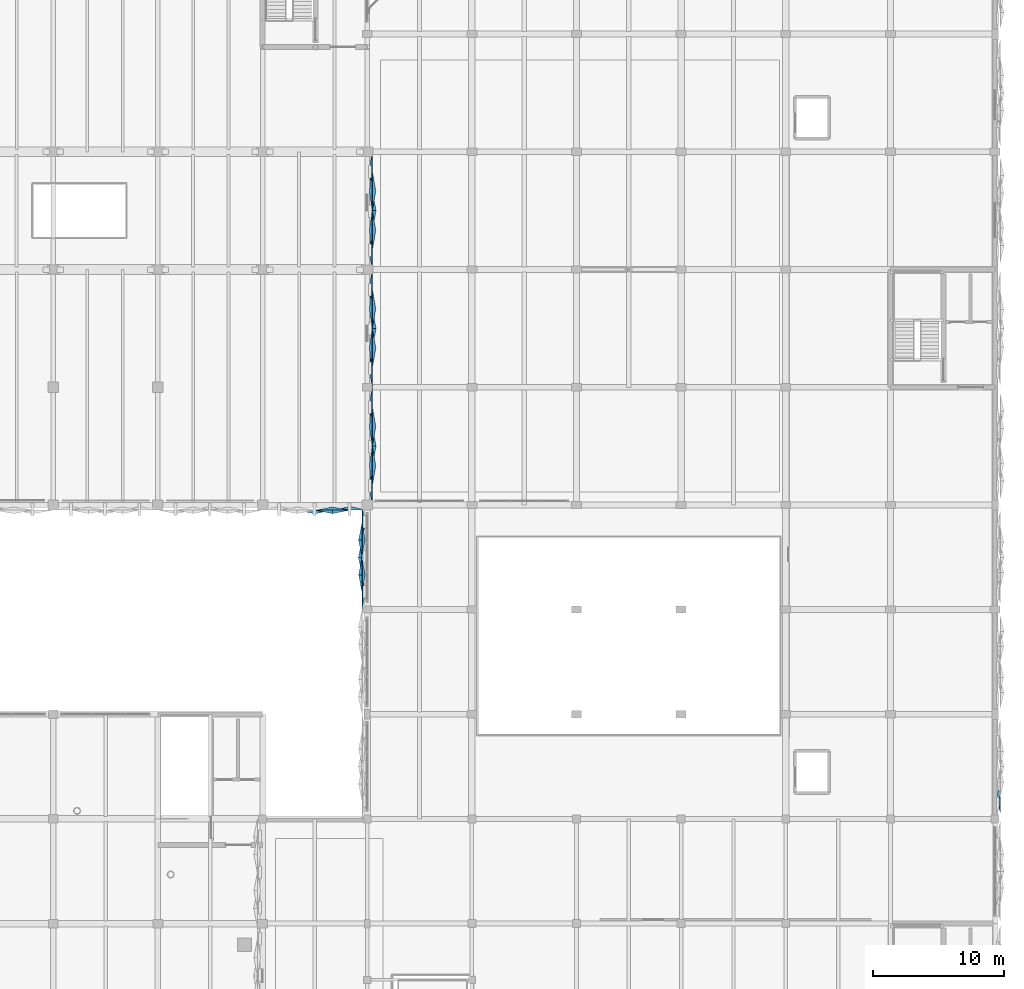
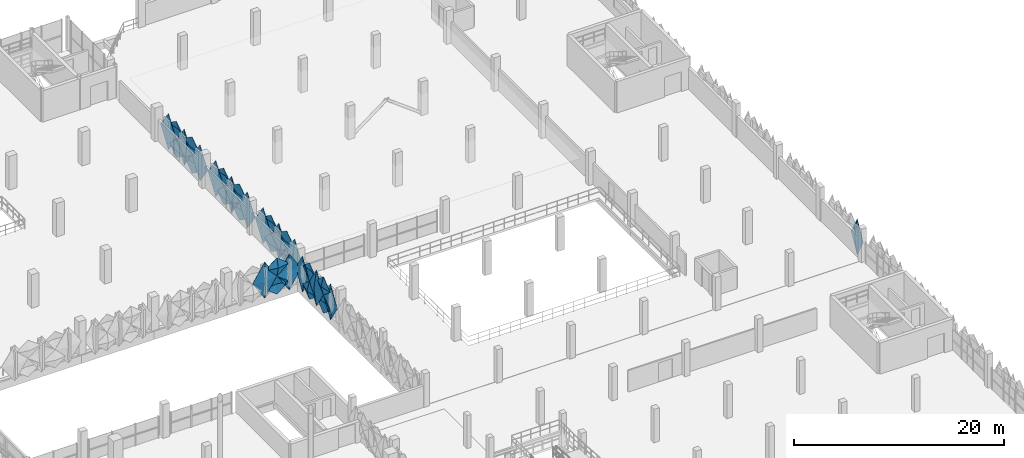
# One storey, part 99 of 123: 33 plates.
"""IFC4 building model written with IfcOpenShell, lengths in metres."""

from ifc_helpers import new_model, si_unit, derived_unit, direction, frame, origin, place, context, subcontext, project, spatial, polygons, material, layer, layer_set, type_object, element, save


model = new_model("IFC4")

# Units and contexts
model_context = context("Model", 3, precision=1e-05, world=origin(), true_north=direction((0.0, 1.0)))
body_context = subcontext(model_context, "Body", "Model", "MODEL_VIEW")
ifc_project = project(units=[si_unit("LENGTHUNIT", "METRE"), si_unit("AREAUNIT", "SQUARE_METRE"), si_unit("VOLUMEUNIT", "CUBIC_METRE"), si_unit("PLANEANGLEUNIT", "RADIAN"), si_unit("MASSUNIT", "GRAM", prefix="KILO"), si_unit("THERMODYNAMICTEMPERATUREUNIT", "KELVIN"), derived_unit("THERMALTRANSMITTANCEUNIT", [(si_unit("POWERUNIT", "WATT"), 1), (si_unit("AREAUNIT", "SQUARE_METRE"), -1), (si_unit("THERMODYNAMICTEMPERATUREUNIT", "KELVIN"), -1)])], contexts=[model_context])

# Site, building, storey
site_placement = place(None, origin())
site = spatial("IfcSite", under=ifc_project, at=site_placement, CompositionType="ELEMENT")
building_placement = place(site_placement, origin())
building = spatial("IfcBuilding", under=site, at=building_placement, Name="Haiyu Intermodal Mobility Hub", CompositionType="ELEMENT")
storey_placement = place(building_placement, frame((0.0, 0.0, 5.60009765625)))
storey = spatial("IfcBuildingStorey", under=building, at=storey_placement, Name="L01", CompositionType="ELEMENT", Elevation=5.60009765625)

# Plates
ifc_material = material(Name="Anodised aluminium 6063-T6", Category="aluminium")
ifc_layer_1 = layer(ifc_material, 0.01806640625)
ifc_layer_set_1 = layer_set([ifc_layer_1], Name="Anodised aluminium 6063-T6")
plate_type_1 = type_object("IfcPlateType", Name="PLT-FC03", PredefinedType="USERDEFINED", material=ifc_layer_set_1)
plate_1_placement = place(storey_placement, origin())
element("IfcPlate", 1, at=plate_1_placement, inside=storey, type_object=plate_type_1, Name="PLT-PYR-2100", ObjectType="FACADE CASSETTE", PredefinedType="USERDEFINED", context=body_context, shape_type="Tessellation", body=[
    polygons([(161.60009765625, 101.3330078125, -0.52001953125), (161.60009765625, 100.02001953125, 0.52978515625), (161.60009765625, 101.3330078125, 1.579833984375), (161.60009765625, 102.64697265625, 0.52978515625), (161.340087890625, 101.3330078125, 0.52978515625), (161.6220703125, 101.3330078125, -0.52001953125), (161.6220703125, 100.02001953125, 0.52978515625), (161.6220703125, 101.3330078125, 1.579833984375), (161.6220703125, 102.64697265625, 0.52978515625), (161.362060546875, 101.3330078125, 0.52978515625)], [[[1, 2, 5]], [[2, 3, 5]], [[3, 4, 5]], [[4, 1, 5]], [[7, 6, 10]], [[8, 7, 10]], [[9, 8, 10]], [[6, 9, 10]], [[1, 6, 7, 2]], [[2, 7, 8, 3]], [[3, 8, 9, 4]], [[4, 9, 6, 1]]], closed=True),
])
plate_2_placement = place(storey_placement, origin())
element("IfcPlate", 2, at=plate_2_placement, inside=storey, type_object=plate_type_1, Name="PLT-PYR-2170", ObjectType="FACADE CASSETTE", PredefinedType="USERDEFINED", context=body_context, shape_type="Tessellation", body=[
    polygons([(162.39990234375, 107.0, -0.52001953125), (162.39990234375, 108.47998046875, 0.52978515625), (162.39990234375, 107.0, 1.579833984375), (162.39990234375, 105.52001953125, 0.52978515625), (162.659912109375, 107.0, 0.52978515625), (162.3779296875, 107.0, -0.52001953125), (162.3779296875, 108.47998046875, 0.52978515625), (162.3779296875, 107.0, 1.579833984375), (162.3779296875, 105.52001953125, 0.52978515625), (162.637939453125, 107.0, 0.52978515625)], [[[1, 2, 5]], [[2, 3, 5]], [[3, 4, 5]], [[4, 1, 5]], [[7, 6, 10]], [[8, 7, 10]], [[9, 8, 10]], [[6, 9, 10]], [[1, 6, 7, 2]], [[2, 7, 8, 3]], [[3, 8, 9, 4]], [[4, 9, 6, 1]]], closed=True),
])
plate_3_placement = place(storey_placement, origin())
element("IfcPlate", 3, at=plate_3_placement, inside=storey, type_object=plate_type_1, Name="PLT-PYR-2177", ObjectType="FACADE CASSETTE", PredefinedType="USERDEFINED", context=body_context, shape_type="Tessellation", body=[
    polygons([(162.39990234375, 116.0, -0.52001953125), (162.39990234375, 117.47998046875, 0.52978515625), (162.39990234375, 116.0, 1.579833984375), (162.39990234375, 114.52001953125, 0.52978515625), (162.659912109375, 116.0, 0.52978515625), (162.3779296875, 116.0, -0.52001953125), (162.3779296875, 117.47998046875, 0.52978515625), (162.3779296875, 116.0, 1.579833984375), (162.3779296875, 114.52001953125, 0.52978515625), (162.637939453125, 116.0, 0.52978515625)], [[[1, 2, 5]], [[2, 3, 5]], [[3, 4, 5]], [[4, 1, 5]], [[7, 6, 10]], [[8, 7, 10]], [[9, 8, 10]], [[6, 9, 10]], [[1, 6, 7, 2]], [[2, 7, 8, 3]], [[3, 8, 9, 4]], [[4, 9, 6, 1]]], closed=True),
])
plate_4_placement = place(storey_placement, origin())
element("IfcPlate", 4, at=plate_4_placement, inside=storey, type_object=plate_type_1, Name="PLT-PYR-2184", ObjectType="FACADE CASSETTE", PredefinedType="USERDEFINED", context=body_context, shape_type="Tessellation", body=[
    polygons([(162.39990234375, 125.0, -0.52001953125), (162.39990234375, 126.47998046875, 0.52978515625), (162.39990234375, 125.0, 1.579833984375), (162.39990234375, 123.52001953125, 0.52978515625), (162.659912109375, 125.0, 0.52978515625), (162.3779296875, 125.0, -0.52001953125), (162.3779296875, 126.47998046875, 0.52978515625), (162.3779296875, 125.0, 1.579833984375), (162.3779296875, 123.52001953125, 0.52978515625), (162.637939453125, 125.0, 0.52978515625)], [[[1, 2, 5]], [[2, 3, 5]], [[3, 4, 5]], [[4, 1, 5]], [[7, 6, 10]], [[8, 7, 10]], [[9, 8, 10]], [[6, 9, 10]], [[1, 6, 7, 2]], [[2, 7, 8, 3]], [[3, 8, 9, 4]], [[4, 9, 6, 1]]], closed=True),
])
ifc_layer_2 = layer(ifc_material, 0.02001953125)
ifc_layer_set_2 = layer_set([ifc_layer_2], Name="Anodised aluminium 6063-T6")
plate_type_2 = type_object("IfcPlateType", Name="PLT-FC04", PredefinedType="USERDEFINED", material=ifc_layer_set_2)
plate_5_placement = place(storey_placement, origin())
element("IfcPlate", 5, at=plate_5_placement, inside=storey, type_object=plate_type_2, Name="PLT-PYR-1022", ObjectType="FACADE CASSETTE", PredefinedType="USERDEFINED", context=body_context, shape_type="Tessellation", body=[
    polygons([(210.39990234375, 81.653076171875, -0.510009765625), (210.39990234375, 82.806884765625, 1.599853515625), (210.39990234375, 81.653076171875, 3.7099609375), (210.39990234375, 80.5, 1.599853515625), (210.139892578125, 81.653076171875, 1.599853515625), (210.3779296875, 81.653076171875, -0.510009765625), (210.3779296875, 82.806884765625, 1.599853515625), (210.3779296875, 81.653076171875, 3.7099609375), (210.3779296875, 80.5, 1.599853515625), (210.117919921875, 81.653076171875, 1.599853515625)], [[[1, 2, 5]], [[2, 3, 5]], [[3, 4, 5]], [[4, 1, 5]], [[7, 6, 10]], [[8, 7, 10]], [[9, 8, 10]], [[6, 9, 10]], [[1, 6, 7, 2]], [[2, 7, 8, 3]], [[3, 8, 9, 4]], [[4, 9, 6, 1]]], closed=True),
])
plate_6_placement = place(storey_placement, origin())
element("IfcPlate", 6, at=plate_6_placement, inside=storey, type_object=plate_type_2, Name="PLT-PYR-2099", ObjectType="FACADE CASSETTE", PredefinedType="USERDEFINED", context=body_context, shape_type="Tessellation", body=[
    polygons([(161.60009765625, 102.6669921875, -0.510009765625), (161.60009765625, 101.35302734375, 1.599853515625), (161.60009765625, 102.6669921875, 3.7099609375), (161.60009765625, 103.97998046875, 1.599853515625), (161.860107421875, 102.6669921875, 1.599853515625), (161.6220703125, 102.6669921875, -0.510009765625), (161.6220703125, 101.35302734375, 1.599853515625), (161.6220703125, 102.6669921875, 3.7099609375), (161.6220703125, 103.97998046875, 1.599853515625), (161.882080078125, 102.6669921875, 1.599853515625)], [[[1, 2, 5]], [[2, 3, 5]], [[3, 4, 5]], [[4, 1, 5]], [[7, 6, 10]], [[8, 7, 10]], [[9, 8, 10]], [[6, 9, 10]], [[1, 6, 7, 2]], [[2, 7, 8, 3]], [[3, 8, 9, 4]], [[4, 9, 6, 1]]], closed=True),
])
plate_7_placement = place(storey_placement, origin())
element("IfcPlate", 7, at=plate_7_placement, inside=storey, type_object=plate_type_2, Name="PLT-PYR-2103", ObjectType="FACADE CASSETTE", PredefinedType="USERDEFINED", context=body_context, shape_type="Tessellation", body=[
    polygons([(161.60009765625, 98.6669921875, -0.52001953125), (161.60009765625, 97.35302734375, 0.52978515625), (161.60009765625, 98.6669921875, 1.579833984375), (161.60009765625, 99.97998046875, 0.52978515625), (161.820068359375, 98.6669921875, 0.52978515625), (161.6220703125, 98.6669921875, -0.52001953125), (161.6220703125, 97.35302734375, 0.52978515625), (161.6220703125, 98.6669921875, 1.579833984375), (161.6220703125, 99.97998046875, 0.52978515625), (161.842041015625, 98.6669921875, 0.52978515625)], [[[1, 2, 5]], [[2, 3, 5]], [[3, 4, 5]], [[4, 1, 5]], [[7, 6, 10]], [[8, 7, 10]], [[9, 8, 10]], [[6, 9, 10]], [[1, 6, 7, 2]], [[2, 7, 8, 3]], [[3, 8, 9, 4]], [[4, 9, 6, 1]]], closed=True),
])
plate_8_placement = place(storey_placement, origin())
element("IfcPlate", 8, at=plate_8_placement, inside=storey, type_object=plate_type_2, Name="PLT-PYR-2169", ObjectType="FACADE CASSETTE", PredefinedType="USERDEFINED", context=body_context, shape_type="Tessellation", body=[
    polygons([(162.39990234375, 105.5, -0.510009765625), (162.39990234375, 106.97998046875, 1.599853515625), (162.39990234375, 105.5, 3.7099609375), (162.39990234375, 104.02001953125, 1.599853515625), (162.139892578125, 105.5, 1.599853515625), (162.3779296875, 105.5, -0.510009765625), (162.3779296875, 106.97998046875, 1.599853515625), (162.3779296875, 105.5, 3.7099609375), (162.3779296875, 104.02001953125, 1.599853515625), (162.117919921875, 105.5, 1.599853515625)], [[[1, 2, 5]], [[2, 3, 5]], [[3, 4, 5]], [[4, 1, 5]], [[7, 6, 10]], [[8, 7, 10]], [[9, 8, 10]], [[6, 9, 10]], [[1, 6, 7, 2]], [[2, 7, 8, 3]], [[3, 8, 9, 4]], [[4, 9, 6, 1]]], closed=True),
])
plate_9_placement = place(storey_placement, origin())
element("IfcPlate", 9, at=plate_9_placement, inside=storey, type_object=plate_type_2, Name="PLT-PYR-2173", ObjectType="FACADE CASSETTE", PredefinedType="USERDEFINED", context=body_context, shape_type="Tessellation", body=[
    polygons([(162.39990234375, 110.0, -0.52001953125), (162.39990234375, 111.47998046875, 0.52978515625), (162.39990234375, 110.0, 1.579833984375), (162.39990234375, 108.52001953125, 0.52978515625), (162.179931640625, 110.0, 0.52978515625), (162.3779296875, 110.0, -0.52001953125), (162.3779296875, 111.47998046875, 0.52978515625), (162.3779296875, 110.0, 1.579833984375), (162.3779296875, 108.52001953125, 0.52978515625), (162.157958984375, 110.0, 0.52978515625)], [[[1, 2, 5]], [[2, 3, 5]], [[3, 4, 5]], [[4, 1, 5]], [[7, 6, 10]], [[8, 7, 10]], [[9, 8, 10]], [[6, 9, 10]], [[1, 6, 7, 2]], [[2, 7, 8, 3]], [[3, 8, 9, 4]], [[4, 9, 6, 1]]], closed=True),
])
plate_10_placement = place(storey_placement, origin())
element("IfcPlate", 10, at=plate_10_placement, inside=storey, type_object=plate_type_2, Name="PLT-PYR-2176", ObjectType="FACADE CASSETTE", PredefinedType="USERDEFINED", context=body_context, shape_type="Tessellation", body=[
    polygons([(162.39990234375, 114.5, -0.510009765625), (162.39990234375, 115.97998046875, 1.599853515625), (162.39990234375, 114.5, 3.7099609375), (162.39990234375, 113.02001953125, 1.599853515625), (162.139892578125, 114.5, 1.599853515625), (162.3779296875, 114.5, -0.510009765625), (162.3779296875, 115.97998046875, 1.599853515625), (162.3779296875, 114.5, 3.7099609375), (162.3779296875, 113.02001953125, 1.599853515625), (162.117919921875, 114.5, 1.599853515625)], [[[1, 2, 5]], [[2, 3, 5]], [[3, 4, 5]], [[4, 1, 5]], [[7, 6, 10]], [[8, 7, 10]], [[9, 8, 10]], [[6, 9, 10]], [[1, 6, 7, 2]], [[2, 7, 8, 3]], [[3, 8, 9, 4]], [[4, 9, 6, 1]]], closed=True),
])
plate_11_placement = place(storey_placement, origin())
element("IfcPlate", 11, at=plate_11_placement, inside=storey, type_object=plate_type_2, Name="PLT-PYR-2180", ObjectType="FACADE CASSETTE", PredefinedType="USERDEFINED", context=body_context, shape_type="Tessellation", body=[
    polygons([(162.39990234375, 119.0, -0.52001953125), (162.39990234375, 120.47998046875, 0.52978515625), (162.39990234375, 119.0, 1.579833984375), (162.39990234375, 117.52001953125, 0.52978515625), (162.179931640625, 119.0, 0.52978515625), (162.3779296875, 119.0, -0.52001953125), (162.3779296875, 120.47998046875, 0.52978515625), (162.3779296875, 119.0, 1.579833984375), (162.3779296875, 117.52001953125, 0.52978515625), (162.157958984375, 119.0, 0.52978515625)], [[[1, 2, 5]], [[2, 3, 5]], [[3, 4, 5]], [[4, 1, 5]], [[7, 6, 10]], [[8, 7, 10]], [[9, 8, 10]], [[6, 9, 10]], [[1, 6, 7, 2]], [[2, 7, 8, 3]], [[3, 8, 9, 4]], [[4, 9, 6, 1]]], closed=True),
])
plate_12_placement = place(storey_placement, origin())
element("IfcPlate", 12, at=plate_12_placement, inside=storey, type_object=plate_type_2, Name="PLT-PYR-2183", ObjectType="FACADE CASSETTE", PredefinedType="USERDEFINED", context=body_context, shape_type="Tessellation", body=[
    polygons([(162.39990234375, 123.5, -0.510009765625), (162.39990234375, 124.97998046875, 1.599853515625), (162.39990234375, 123.5, 3.7099609375), (162.39990234375, 122.02001953125, 1.599853515625), (162.139892578125, 123.5, 1.599853515625), (162.3779296875, 123.5, -0.510009765625), (162.3779296875, 124.97998046875, 1.599853515625), (162.3779296875, 123.5, 3.7099609375), (162.3779296875, 122.02001953125, 1.599853515625), (162.117919921875, 123.5, 1.599853515625)], [[[1, 2, 5]], [[2, 3, 5]], [[3, 4, 5]], [[4, 1, 5]], [[7, 6, 10]], [[8, 7, 10]], [[9, 8, 10]], [[6, 9, 10]], [[1, 6, 7, 2]], [[2, 7, 8, 3]], [[3, 8, 9, 4]], [[4, 9, 6, 1]]], closed=True),
])
plate_13_placement = place(storey_placement, origin())
element("IfcPlate", 13, at=plate_13_placement, inside=storey, type_object=plate_type_2, Name="PLT-PYR-2187", ObjectType="FACADE CASSETTE", PredefinedType="USERDEFINED", context=body_context, shape_type="Tessellation", body=[
    polygons([(162.39990234375, 128.0, -0.52001953125), (162.39990234375, 129.47998046875, 0.52978515625), (162.39990234375, 128.0, 1.579833984375), (162.39990234375, 126.52001953125, 0.52978515625), (162.179931640625, 128.0, 0.52978515625), (162.3779296875, 128.0, -0.52001953125), (162.3779296875, 129.47998046875, 0.52978515625), (162.3779296875, 128.0, 1.579833984375), (162.3779296875, 126.52001953125, 0.52978515625), (162.157958984375, 128.0, 0.52978515625)], [[[1, 2, 5]], [[2, 3, 5]], [[3, 4, 5]], [[4, 1, 5]], [[7, 6, 10]], [[8, 7, 10]], [[9, 8, 10]], [[6, 9, 10]], [[1, 6, 7, 2]], [[2, 7, 8, 3]], [[3, 8, 9, 4]], [[4, 9, 6, 1]]], closed=True),
])
plate_14_placement = place(storey_placement, origin())
element("IfcPlate", 14, at=plate_14_placement, inside=storey, type_object=plate_type_2, Name="PLT-PYR-2285", ObjectType="FACADE CASSETTE", PredefinedType="USERDEFINED", context=body_context, shape_type="Tessellation", body=[
    polygons([(159.35009765625, 103.60009765625, -0.52001953125), (160.679931640625, 103.60009765625, 0.52978515625), (159.35009765625, 103.60009765625, 1.579833984375), (158.02001953125, 103.60009765625, 0.52978515625), (159.35009765625, 103.820068359375, 0.52978515625), (159.35009765625, 103.6220703125, -0.52001953125), (160.679931640625, 103.6220703125, 0.52978515625), (159.35009765625, 103.6220703125, 1.579833984375), (158.02001953125, 103.6220703125, 0.52978515625), (159.35009765625, 103.842041015625, 0.52978515625)], [[[1, 2, 5]], [[2, 3, 5]], [[3, 4, 5]], [[4, 1, 5]], [[7, 6, 10]], [[8, 7, 10]], [[9, 8, 10]], [[6, 9, 10]], [[1, 6, 7, 2]], [[2, 7, 8, 3]], [[3, 8, 9, 4]], [[4, 9, 6, 1]]], closed=True),
])
ifc_layer_3 = layer(ifc_material, 0.01806640625)
ifc_layer_set_3 = layer_set([ifc_layer_3], Name="Anodised aluminium 6063-T6")
plate_type_3 = type_object("IfcPlateType", Name="PLT-FC05", PredefinedType="USERDEFINED", material=ifc_layer_set_3)
plate_15_placement = place(storey_placement, origin())
element("IfcPlate", 15, at=plate_15_placement, inside=storey, type_object=plate_type_3, Name="PLT-PYR-2102", ObjectType="FACADE CASSETTE", PredefinedType="USERDEFINED", context=body_context, shape_type="Tessellation", body=[
    polygons([(161.60009765625, 100.0, -0.510009765625), (161.60009765625, 98.68701171875, 1.599853515625), (161.60009765625, 100.0, 3.7099609375), (161.60009765625, 101.31298828125, 1.599853515625), (161.320068359375, 100.0, 1.599853515625), (161.6220703125, 100.0, -0.510009765625), (161.6220703125, 98.68701171875, 1.599853515625), (161.6220703125, 100.0, 3.7099609375), (161.6220703125, 101.31298828125, 1.599853515625), (161.342041015625, 100.0, 1.599853515625)], [[[1, 2, 5]], [[2, 3, 5]], [[3, 4, 5]], [[4, 1, 5]], [[7, 6, 10]], [[8, 7, 10]], [[9, 8, 10]], [[6, 9, 10]], [[1, 6, 7, 2]], [[2, 7, 8, 3]], [[3, 8, 9, 4]], [[4, 9, 6, 1]]], closed=True),
])
plate_16_placement = place(storey_placement, origin())
element("IfcPlate", 16, at=plate_16_placement, inside=storey, type_object=plate_type_3, Name="PLT-PYR-2104", ObjectType="FACADE CASSETTE", PredefinedType="USERDEFINED", context=body_context, shape_type="Tessellation", body=[
    polygons([(161.60009765625, 98.6669921875, 1.619873046875), (161.60009765625, 97.35302734375, 2.669921875), (161.60009765625, 98.6669921875, 3.719970703125), (161.60009765625, 99.97998046875, 2.669921875), (161.340087890625, 98.6669921875, 2.669921875), (161.6220703125, 98.6669921875, 1.619873046875), (161.6220703125, 97.35302734375, 2.669921875), (161.6220703125, 98.6669921875, 3.719970703125), (161.6220703125, 99.97998046875, 2.669921875), (161.362060546875, 98.6669921875, 2.669921875)], [[[1, 2, 5]], [[2, 3, 5]], [[3, 4, 5]], [[4, 1, 5]], [[7, 6, 10]], [[8, 7, 10]], [[9, 8, 10]], [[6, 9, 10]], [[1, 6, 7, 2]], [[2, 7, 8, 3]], [[3, 8, 9, 4]], [[4, 9, 6, 1]]], closed=True),
])
plate_17_placement = place(storey_placement, origin())
element("IfcPlate", 17, at=plate_17_placement, inside=storey, type_object=plate_type_3, Name="PLT-PYR-2172", ObjectType="FACADE CASSETTE", PredefinedType="USERDEFINED", context=body_context, shape_type="Tessellation", body=[
    polygons([(162.39990234375, 108.5, -0.510009765625), (162.39990234375, 109.97998046875, 1.599853515625), (162.39990234375, 108.5, 3.7099609375), (162.39990234375, 107.02001953125, 1.599853515625), (162.679931640625, 108.5, 1.599853515625), (162.3779296875, 108.5, -0.510009765625), (162.3779296875, 109.97998046875, 1.599853515625), (162.3779296875, 108.5, 3.7099609375), (162.3779296875, 107.02001953125, 1.599853515625), (162.657958984375, 108.5, 1.599853515625)], [[[1, 2, 5]], [[2, 3, 5]], [[3, 4, 5]], [[4, 1, 5]], [[7, 6, 10]], [[8, 7, 10]], [[9, 8, 10]], [[6, 9, 10]], [[1, 6, 7, 2]], [[2, 7, 8, 3]], [[3, 8, 9, 4]], [[4, 9, 6, 1]]], closed=True),
])
plate_18_placement = place(storey_placement, origin())
element("IfcPlate", 18, at=plate_18_placement, inside=storey, type_object=plate_type_3, Name="PLT-PYR-2174", ObjectType="FACADE CASSETTE", PredefinedType="USERDEFINED", context=body_context, shape_type="Tessellation", body=[
    polygons([(162.39990234375, 110.0, 1.619873046875), (162.39990234375, 111.47998046875, 2.669921875), (162.39990234375, 110.0, 3.719970703125), (162.39990234375, 108.52001953125, 2.669921875), (162.659912109375, 110.0, 2.669921875), (162.3779296875, 110.0, 1.619873046875), (162.3779296875, 111.47998046875, 2.669921875), (162.3779296875, 110.0, 3.719970703125), (162.3779296875, 108.52001953125, 2.669921875), (162.637939453125, 110.0, 2.669921875)], [[[1, 2, 5]], [[2, 3, 5]], [[3, 4, 5]], [[4, 1, 5]], [[7, 6, 10]], [[8, 7, 10]], [[9, 8, 10]], [[6, 9, 10]], [[1, 6, 7, 2]], [[2, 7, 8, 3]], [[3, 8, 9, 4]], [[4, 9, 6, 1]]], closed=True),
])
plate_19_placement = place(storey_placement, origin())
element("IfcPlate", 19, at=plate_19_placement, inside=storey, type_object=plate_type_3, Name="PLT-PYR-2179", ObjectType="FACADE CASSETTE", PredefinedType="USERDEFINED", context=body_context, shape_type="Tessellation", body=[
    polygons([(162.39990234375, 117.5, -0.510009765625), (162.39990234375, 118.97998046875, 1.599853515625), (162.39990234375, 117.5, 3.7099609375), (162.39990234375, 116.02001953125, 1.599853515625), (162.679931640625, 117.5, 1.599853515625), (162.3779296875, 117.5, -0.510009765625), (162.3779296875, 118.97998046875, 1.599853515625), (162.3779296875, 117.5, 3.7099609375), (162.3779296875, 116.02001953125, 1.599853515625), (162.657958984375, 117.5, 1.599853515625)], [[[1, 2, 5]], [[2, 3, 5]], [[3, 4, 5]], [[4, 1, 5]], [[7, 6, 10]], [[8, 7, 10]], [[9, 8, 10]], [[6, 9, 10]], [[1, 6, 7, 2]], [[2, 7, 8, 3]], [[3, 8, 9, 4]], [[4, 9, 6, 1]]], closed=True),
])
plate_20_placement = place(storey_placement, origin())
element("IfcPlate", 20, at=plate_20_placement, inside=storey, type_object=plate_type_3, Name="PLT-PYR-2181", ObjectType="FACADE CASSETTE", PredefinedType="USERDEFINED", context=body_context, shape_type="Tessellation", body=[
    polygons([(162.39990234375, 119.0, 1.619873046875), (162.39990234375, 120.47998046875, 2.669921875), (162.39990234375, 119.0, 3.719970703125), (162.39990234375, 117.52001953125, 2.669921875), (162.659912109375, 119.0, 2.669921875), (162.3779296875, 119.0, 1.619873046875), (162.3779296875, 120.47998046875, 2.669921875), (162.3779296875, 119.0, 3.719970703125), (162.3779296875, 117.52001953125, 2.669921875), (162.637939453125, 119.0, 2.669921875)], [[[1, 2, 5]], [[2, 3, 5]], [[3, 4, 5]], [[4, 1, 5]], [[7, 6, 10]], [[8, 7, 10]], [[9, 8, 10]], [[6, 9, 10]], [[1, 6, 7, 2]], [[2, 7, 8, 3]], [[3, 8, 9, 4]], [[4, 9, 6, 1]]], closed=True),
])
plate_21_placement = place(storey_placement, origin())
element("IfcPlate", 21, at=plate_21_placement, inside=storey, type_object=plate_type_3, Name="PLT-PYR-2186", ObjectType="FACADE CASSETTE", PredefinedType="USERDEFINED", context=body_context, shape_type="Tessellation", body=[
    polygons([(162.39990234375, 126.5, -0.510009765625), (162.39990234375, 127.97998046875, 1.599853515625), (162.39990234375, 126.5, 3.7099609375), (162.39990234375, 125.02001953125, 1.599853515625), (162.679931640625, 126.5, 1.599853515625), (162.3779296875, 126.5, -0.510009765625), (162.3779296875, 127.97998046875, 1.599853515625), (162.3779296875, 126.5, 3.7099609375), (162.3779296875, 125.02001953125, 1.599853515625), (162.657958984375, 126.5, 1.599853515625)], [[[1, 2, 5]], [[2, 3, 5]], [[3, 4, 5]], [[4, 1, 5]], [[7, 6, 10]], [[8, 7, 10]], [[9, 8, 10]], [[6, 9, 10]], [[1, 6, 7, 2]], [[2, 7, 8, 3]], [[3, 8, 9, 4]], [[4, 9, 6, 1]]], closed=True),
])
plate_22_placement = place(storey_placement, origin())
element("IfcPlate", 22, at=plate_22_placement, inside=storey, type_object=plate_type_3, Name="PLT-PYR-2188", ObjectType="FACADE CASSETTE", PredefinedType="USERDEFINED", context=body_context, shape_type="Tessellation", body=[
    polygons([(162.39990234375, 128.0, 1.619873046875), (162.39990234375, 129.47998046875, 2.669921875), (162.39990234375, 128.0, 3.719970703125), (162.39990234375, 126.52001953125, 2.669921875), (162.659912109375, 128.0, 2.669921875), (162.3779296875, 128.0, 1.619873046875), (162.3779296875, 129.47998046875, 2.669921875), (162.3779296875, 128.0, 3.719970703125), (162.3779296875, 126.52001953125, 2.669921875), (162.637939453125, 128.0, 2.669921875)], [[[1, 2, 5]], [[2, 3, 5]], [[3, 4, 5]], [[4, 1, 5]], [[7, 6, 10]], [[8, 7, 10]], [[9, 8, 10]], [[6, 9, 10]], [[1, 6, 7, 2]], [[2, 7, 8, 3]], [[3, 8, 9, 4]], [[4, 9, 6, 1]]], closed=True),
])
plate_23_placement = place(storey_placement, origin())
element("IfcPlate", 23, at=plate_23_placement, inside=storey, type_object=plate_type_3, Name="PLT-PYR-2284", ObjectType="FACADE CASSETTE", PredefinedType="USERDEFINED", context=body_context, shape_type="Tessellation", body=[
    polygons([(158.0, 103.60009765625, -0.510009765625), (159.330078125, 103.60009765625, 1.599853515625), (158.0, 103.60009765625, 3.7099609375), (156.669921875, 103.60009765625, 1.599853515625), (158.0, 103.320068359375, 1.599853515625), (158.0, 103.6220703125, -0.510009765625), (159.330078125, 103.6220703125, 1.599853515625), (158.0, 103.6220703125, 3.7099609375), (156.669921875, 103.6220703125, 1.599853515625), (158.0, 103.342041015625, 1.599853515625)], [[[1, 2, 5]], [[2, 3, 5]], [[3, 4, 5]], [[4, 1, 5]], [[7, 6, 10]], [[8, 7, 10]], [[9, 8, 10]], [[6, 9, 10]], [[1, 6, 7, 2]], [[2, 7, 8, 3]], [[3, 8, 9, 4]], [[4, 9, 6, 1]]], closed=True),
])
plate_24_placement = place(storey_placement, origin())
element("IfcPlate", 24, at=plate_24_placement, inside=storey, type_object=plate_type_3, Name="PLT-PYR-2286", ObjectType="FACADE CASSETTE", PredefinedType="USERDEFINED", context=body_context, shape_type="Tessellation", body=[
    polygons([(159.35009765625, 103.60009765625, 1.619873046875), (160.679931640625, 103.60009765625, 2.669921875), (159.35009765625, 103.60009765625, 3.719970703125), (158.02001953125, 103.60009765625, 2.669921875), (159.35009765625, 103.340087890625, 2.669921875), (159.35009765625, 103.6220703125, 1.619873046875), (160.679931640625, 103.6220703125, 2.669921875), (159.35009765625, 103.6220703125, 3.719970703125), (158.02001953125, 103.6220703125, 2.669921875), (159.35009765625, 103.362060546875, 2.669921875)], [[[1, 2, 5]], [[2, 3, 5]], [[3, 4, 5]], [[4, 1, 5]], [[7, 6, 10]], [[8, 7, 10]], [[9, 8, 10]], [[6, 9, 10]], [[1, 6, 7, 2]], [[2, 7, 8, 3]], [[3, 8, 9, 4]], [[4, 9, 6, 1]]], closed=True),
])
ifc_layer_4 = layer(ifc_material, 0.02001953125)
ifc_layer_set_4 = layer_set([ifc_layer_4], Name="Anodised aluminium 6063-T6")
plate_type_4 = type_object("IfcPlateType", Name="PLT-FC06", PredefinedType="USERDEFINED", material=ifc_layer_set_4)
plate_25_placement = place(storey_placement, origin())
element("IfcPlate", 25, at=plate_25_placement, inside=storey, type_object=plate_type_4, Name="PLT-PYR-2101", ObjectType="FACADE CASSETTE", PredefinedType="USERDEFINED", context=body_context, shape_type="Tessellation", body=[
    polygons([(161.60009765625, 101.3330078125, 1.619873046875), (161.60009765625, 100.02001953125, 2.669921875), (161.60009765625, 101.3330078125, 3.719970703125), (161.60009765625, 102.64697265625, 2.669921875), (161.820068359375, 101.3330078125, 2.669921875), (161.6220703125, 101.3330078125, 1.619873046875), (161.6220703125, 100.02001953125, 2.669921875), (161.6220703125, 101.3330078125, 3.719970703125), (161.6220703125, 102.64697265625, 2.669921875), (161.842041015625, 101.3330078125, 2.669921875)], [[[1, 2, 5]], [[2, 3, 5]], [[3, 4, 5]], [[4, 1, 5]], [[7, 6, 10]], [[8, 7, 10]], [[9, 8, 10]], [[6, 9, 10]], [[1, 6, 7, 2]], [[2, 7, 8, 3]], [[3, 8, 9, 4]], [[4, 9, 6, 1]]], closed=True),
])
plate_26_placement = place(storey_placement, origin())
element("IfcPlate", 26, at=plate_26_placement, inside=storey, type_object=plate_type_4, Name="PLT-PYR-2171", ObjectType="FACADE CASSETTE", PredefinedType="USERDEFINED", context=body_context, shape_type="Tessellation", body=[
    polygons([(162.39990234375, 107.0, 1.619873046875), (162.39990234375, 108.47998046875, 2.669921875), (162.39990234375, 107.0, 3.719970703125), (162.39990234375, 105.52001953125, 2.669921875), (162.179931640625, 107.0, 2.669921875), (162.3779296875, 107.0, 1.619873046875), (162.3779296875, 108.47998046875, 2.669921875), (162.3779296875, 107.0, 3.719970703125), (162.3779296875, 105.52001953125, 2.669921875), (162.157958984375, 107.0, 2.669921875)], [[[1, 2, 5]], [[2, 3, 5]], [[3, 4, 5]], [[4, 1, 5]], [[7, 6, 10]], [[8, 7, 10]], [[9, 8, 10]], [[6, 9, 10]], [[1, 6, 7, 2]], [[2, 7, 8, 3]], [[3, 8, 9, 4]], [[4, 9, 6, 1]]], closed=True),
])
plate_27_placement = place(storey_placement, origin())
element("IfcPlate", 27, at=plate_27_placement, inside=storey, type_object=plate_type_4, Name="PLT-PYR-2178", ObjectType="FACADE CASSETTE", PredefinedType="USERDEFINED", context=body_context, shape_type="Tessellation", body=[
    polygons([(162.39990234375, 116.0, 1.619873046875), (162.39990234375, 117.47998046875, 2.669921875), (162.39990234375, 116.0, 3.719970703125), (162.39990234375, 114.52001953125, 2.669921875), (162.179931640625, 116.0, 2.669921875), (162.3779296875, 116.0, 1.619873046875), (162.3779296875, 117.47998046875, 2.669921875), (162.3779296875, 116.0, 3.719970703125), (162.3779296875, 114.52001953125, 2.669921875), (162.157958984375, 116.0, 2.669921875)], [[[1, 2, 5]], [[2, 3, 5]], [[3, 4, 5]], [[4, 1, 5]], [[7, 6, 10]], [[8, 7, 10]], [[9, 8, 10]], [[6, 9, 10]], [[1, 6, 7, 2]], [[2, 7, 8, 3]], [[3, 8, 9, 4]], [[4, 9, 6, 1]]], closed=True),
])
plate_28_placement = place(storey_placement, origin())
element("IfcPlate", 28, at=plate_28_placement, inside=storey, type_object=plate_type_4, Name="PLT-PYR-2185", ObjectType="FACADE CASSETTE", PredefinedType="USERDEFINED", context=body_context, shape_type="Tessellation", body=[
    polygons([(162.39990234375, 125.0, 1.619873046875), (162.39990234375, 126.47998046875, 2.669921875), (162.39990234375, 125.0, 3.719970703125), (162.39990234375, 123.52001953125, 2.669921875), (162.179931640625, 125.0, 2.669921875), (162.3779296875, 125.0, 1.619873046875), (162.3779296875, 126.47998046875, 2.669921875), (162.3779296875, 125.0, 3.719970703125), (162.3779296875, 123.52001953125, 2.669921875), (162.157958984375, 125.0, 2.669921875)], [[[1, 2, 5]], [[2, 3, 5]], [[3, 4, 5]], [[4, 1, 5]], [[7, 6, 10]], [[8, 7, 10]], [[9, 8, 10]], [[6, 9, 10]], [[1, 6, 7, 2]], [[2, 7, 8, 3]], [[3, 8, 9, 4]], [[4, 9, 6, 1]]], closed=True),
])
ifc_layer_5 = layer(ifc_material, 0.02392578125)
ifc_layer_set_5 = layer_set([ifc_layer_5], Name="Anodised aluminium 6063-T6")
plate_type_5 = type_object("IfcPlateType", Name="PLT-FC08", PredefinedType="USERDEFINED", material=ifc_layer_set_5)
plate_29_placement = place(storey_placement, origin())
element("IfcPlate", 29, at=plate_29_placement, inside=storey, type_object=plate_type_5, Name="PLT-PYR-2105", ObjectType="FACADE CASSETTE", PredefinedType="USERDEFINED", context=body_context, shape_type="Tessellation", body=[
    polygons([(161.60009765625, 97.3330078125, -0.510009765625), (161.60009765625, 96.02001953125, 1.599853515625), (161.60009765625, 97.3330078125, 3.7099609375), (161.60009765625, 98.64697265625, 1.599853515625), (161.860107421875, 97.3330078125, 1.599853515625), (161.6220703125, 97.3330078125, -0.510009765625), (161.6220703125, 96.02001953125, 1.599853515625), (161.6220703125, 97.3330078125, 3.7099609375), (161.6220703125, 98.64697265625, 1.599853515625), (161.882080078125, 97.3330078125, 1.599853515625)], [[[1, 2, 5]], [[2, 3, 5]], [[3, 4, 5]], [[4, 1, 5]], [[7, 6, 10]], [[8, 7, 10]], [[9, 8, 10]], [[6, 9, 10]], [[1, 6, 7, 2]], [[2, 7, 8, 3]], [[3, 8, 9, 4]], [[4, 9, 6, 1]]], closed=True),
])
plate_30_placement = place(storey_placement, origin())
element("IfcPlate", 30, at=plate_30_placement, inside=storey, type_object=plate_type_5, Name="PLT-PYR-2175", ObjectType="FACADE CASSETTE", PredefinedType="USERDEFINED", context=body_context, shape_type="Tessellation", body=[
    polygons([(162.39990234375, 111.5, -0.510009765625), (162.39990234375, 112.97998046875, 1.599853515625), (162.39990234375, 111.5, 3.7099609375), (162.39990234375, 110.02001953125, 1.599853515625), (162.139892578125, 111.5, 1.599853515625), (162.3779296875, 111.5, -0.510009765625), (162.3779296875, 112.97998046875, 1.599853515625), (162.3779296875, 111.5, 3.7099609375), (162.3779296875, 110.02001953125, 1.599853515625), (162.117919921875, 111.5, 1.599853515625)], [[[1, 2, 5]], [[2, 3, 5]], [[3, 4, 5]], [[4, 1, 5]], [[7, 6, 10]], [[8, 7, 10]], [[9, 8, 10]], [[6, 9, 10]], [[1, 6, 7, 2]], [[2, 7, 8, 3]], [[3, 8, 9, 4]], [[4, 9, 6, 1]]], closed=True),
])
plate_31_placement = place(storey_placement, origin())
element("IfcPlate", 31, at=plate_31_placement, inside=storey, type_object=plate_type_5, Name="PLT-PYR-2182", ObjectType="FACADE CASSETTE", PredefinedType="USERDEFINED", context=body_context, shape_type="Tessellation", body=[
    polygons([(162.39990234375, 120.5, -0.510009765625), (162.39990234375, 121.97998046875, 1.599853515625), (162.39990234375, 120.5, 3.7099609375), (162.39990234375, 119.02001953125, 1.599853515625), (162.139892578125, 120.5, 1.599853515625), (162.3779296875, 120.5, -0.510009765625), (162.3779296875, 121.97998046875, 1.599853515625), (162.3779296875, 120.5, 3.7099609375), (162.3779296875, 119.02001953125, 1.599853515625), (162.117919921875, 120.5, 1.599853515625)], [[[1, 2, 5]], [[2, 3, 5]], [[3, 4, 5]], [[4, 1, 5]], [[7, 6, 10]], [[8, 7, 10]], [[9, 8, 10]], [[6, 9, 10]], [[1, 6, 7, 2]], [[2, 7, 8, 3]], [[3, 8, 9, 4]], [[4, 9, 6, 1]]], closed=True),
])
plate_32_placement = place(storey_placement, origin())
element("IfcPlate", 32, at=plate_32_placement, inside=storey, type_object=plate_type_5, Name="PLT-PYR-2189", ObjectType="FACADE CASSETTE", PredefinedType="USERDEFINED", context=body_context, shape_type="Tessellation", body=[
    polygons([(162.39990234375, 129.5, -0.510009765625), (162.39990234375, 130.97998046875, 1.599853515625), (162.39990234375, 129.5, 3.7099609375), (162.39990234375, 128.02001953125, 1.599853515625), (162.139892578125, 129.5, 1.599853515625), (162.3779296875, 129.5, -0.510009765625), (162.3779296875, 130.97998046875, 1.599853515625), (162.3779296875, 129.5, 3.7099609375), (162.3779296875, 128.02001953125, 1.599853515625), (162.117919921875, 129.5, 1.599853515625)], [[[1, 2, 5]], [[2, 3, 5]], [[3, 4, 5]], [[4, 1, 5]], [[7, 6, 10]], [[8, 7, 10]], [[9, 8, 10]], [[6, 9, 10]], [[1, 6, 7, 2]], [[2, 7, 8, 3]], [[3, 8, 9, 4]], [[4, 9, 6, 1]]], closed=True),
])
plate_33_placement = place(storey_placement, origin())
element("IfcPlate", 33, at=plate_33_placement, inside=storey, type_object=plate_type_5, Name="PLT-PYR-2287", ObjectType="FACADE CASSETTE", PredefinedType="USERDEFINED", context=body_context, shape_type="Tessellation", body=[
    polygons([(160.699951171875, 103.60009765625, -0.510009765625), (162.030029296875, 103.60009765625, 1.599853515625), (160.699951171875, 103.60009765625, 3.7099609375), (159.3701171875, 103.60009765625, 1.599853515625), (160.699951171875, 103.860107421875, 1.599853515625), (160.699951171875, 103.6220703125, -0.510009765625), (162.030029296875, 103.6220703125, 1.599853515625), (160.699951171875, 103.6220703125, 3.7099609375), (159.3701171875, 103.6220703125, 1.599853515625), (160.699951171875, 103.882080078125, 1.599853515625)], [[[1, 2, 5]], [[2, 3, 5]], [[3, 4, 5]], [[4, 1, 5]], [[7, 6, 10]], [[8, 7, 10]], [[9, 8, 10]], [[6, 9, 10]], [[1, 6, 7, 2]], [[2, 7, 8, 3]], [[3, 8, 9, 4]], [[4, 9, 6, 1]]], closed=True),
])

save(model, "model.ifc")
